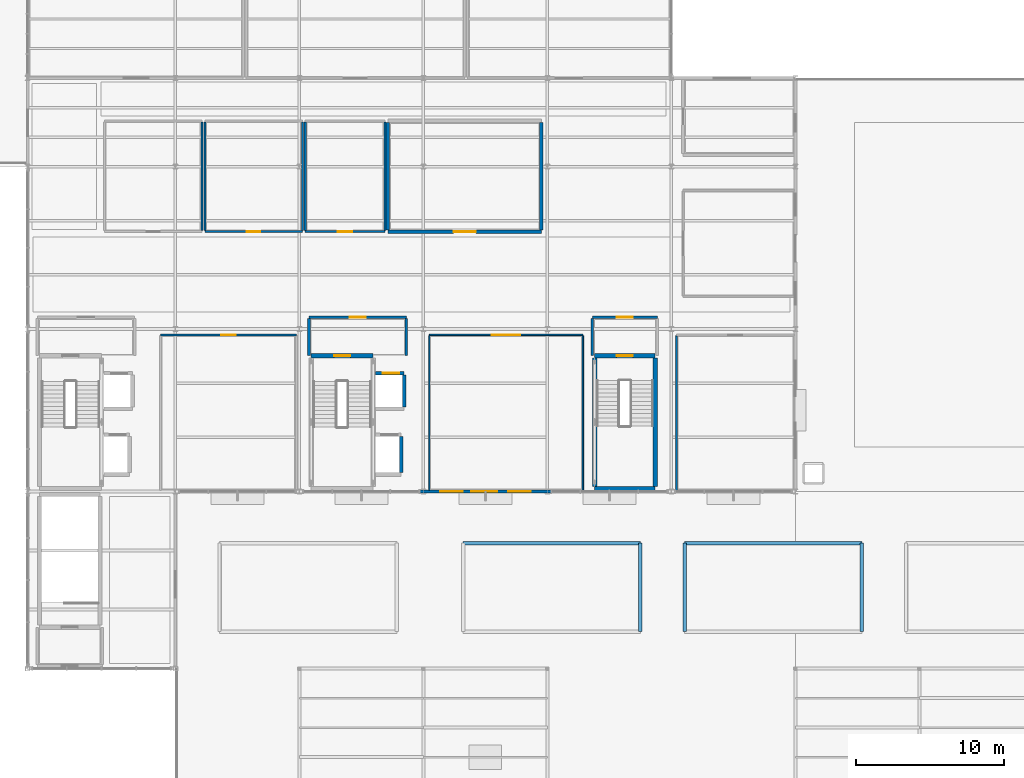
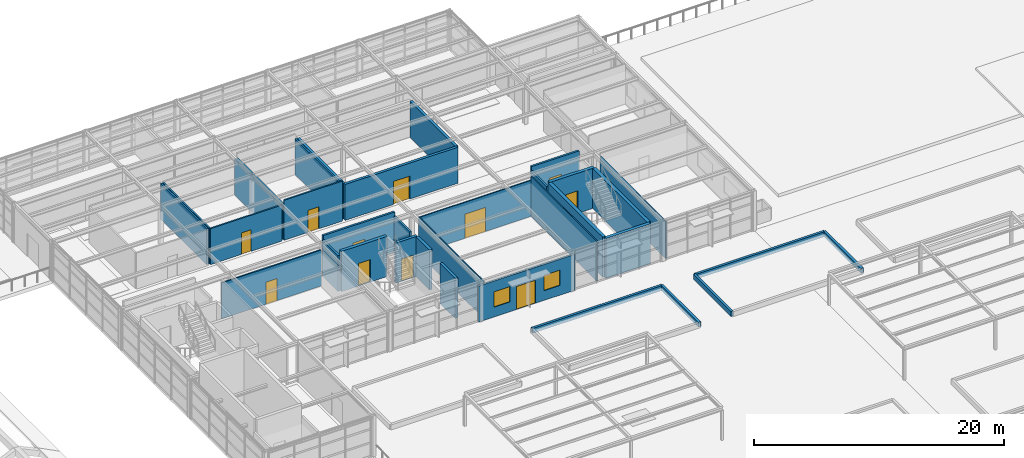
# One storey, part 42 of 49: 34 walls, 11 doors, 2 windows, 13 openings.
"""IFC4 building model written with IfcOpenShell, lengths in metres."""

import ifcopenshell
import ifcopenshell.guid

model = None  # the IFC model being written
_history = None  # IfcOwnerHistory: only IFC2X3 demands one
_inside = {}  # id of a spatial element -> (the spatial element, [elements in it])
_under = {}  # id of a project, library or spatial element -> (it, [spatial elements below it])
_declared = {}  # id of a project -> (the project, [libraries it declares])
_typed = {}  # id of a type object -> (the type object, [elements of that type])
_made_of = {}  # id of a material, layer set ... -> (it, [elements and type objects made of it])


def new_model(schema):
    """Start an empty IFC model of exactly this schema.

    Asked for "IFC4X3", IfcOpenShell would pick the latest addendum, in which some entities
    have other attributes; the version numbers below select the first issue.
    IFC2X3 requires an IfcOwnerHistory on every rooted entity: one is made here for all.
    """
    global model, _history
    if schema == "IFC4X3":
        model = ifcopenshell.file(schema_version=(4, 3, 0, 0))
    else:
        model = ifcopenshell.file(schema=schema)
    _inside.clear()
    _under.clear()
    _declared.clear()
    _typed.clear()
    _made_of.clear()
    _history = None
    if model.schema == "IFC2X3":
        org = make("IfcOrganization", Name="unknown")
        user = make(
            "IfcPersonAndOrganization",
            ThePerson=make("IfcPerson", FamilyName="unknown"),
            TheOrganization=org,
        )
        app = make(
            "IfcApplication",
            ApplicationDeveloper=org,
            Version="unknown",
            ApplicationFullName="unknown",
            ApplicationIdentifier="unknown",
        )
        _history = make(
            "IfcOwnerHistory",
            OwningUser=user,
            OwningApplication=app,
            ChangeAction="ADDED",
            CreationDate=0,
        )
    return model


def make(cls, **values):
    """One entity of the class cls with the attributes given. An attribute that is None is left unset."""
    return model.create_entity(
        cls, **{name: value for name, value in values.items() if value is not None}
    )


def rooted(cls, **values):
    """An entity with a GlobalId (a new one), such as an element, a storey or a relation."""
    return make(cls, GlobalId=ifcopenshell.guid.new(), OwnerHistory=_history, **values)


def si_unit(unit_type, name, prefix=None):
    """IfcSIUnit, for example si_unit("LENGTHUNIT", "METRE", prefix="MILLI")."""
    return make("IfcSIUnit", UnitType=unit_type, Prefix=prefix, Name=name)


def assignment(units):
    """IfcUnitAssignment: the units of a project."""
    return None if units is None else make("IfcUnitAssignment", Units=units)


def point(xyz):
    """IfcCartesianPoint."""
    return None if xyz is None else make("IfcCartesianPoint", Coordinates=xyz)


def direction(xyz):
    """IfcDirection."""
    return None if xyz is None else make("IfcDirection", DirectionRatios=xyz)


def frame(location, z_axis=None, x_axis=None):
    """IfcAxis2Placement3D, a coordinate frame: its origin and axes. An axis left out is left unset."""
    return make(
        "IfcAxis2Placement3D",
        Location=point(location),
        Axis=direction(z_axis),
        RefDirection=direction(x_axis),
    )


def frame_2d(location, x_axis=None):
    """IfcAxis2Placement2D, a coordinate frame in the plane: its origin and x axis."""
    return make(
        "IfcAxis2Placement2D", Location=point(location), RefDirection=direction(x_axis)
    )


def origin():
    """The frame at (0, 0, 0) with its axes left unset."""
    return frame((0.0, 0.0, 0.0))


def place(relative_to, where):
    """IfcLocalPlacement: puts the frame where relative to a parent placement (None: the world)."""
    return make(
        "IfcLocalPlacement", PlacementRelTo=relative_to, RelativePlacement=where
    )


def context(
    kind, dimensions, precision=None, world=None, true_north=None, identifier=None
):
    """IfcGeometricRepresentationContext, for example the 3D "Model" context."""
    return make(
        "IfcGeometricRepresentationContext",
        ContextIdentifier=identifier,
        ContextType=kind,
        CoordinateSpaceDimension=dimensions,
        Precision=precision,
        WorldCoordinateSystem=world,
        TrueNorth=true_north,
    )


def subcontext(parent, identifier, kind, view, scale=None):
    """IfcGeometricRepresentationSubContext, for example "Body" below "Model"."""
    return make(
        "IfcGeometricRepresentationSubContext",
        ContextIdentifier=identifier,
        ContextType=kind,
        ParentContext=parent,
        TargetScale=scale,
        TargetView=view,
    )


def project(units=None, contexts=None):
    """IfcProject with its units and contexts."""
    return rooted(
        "IfcProject",
        Name="project",
        RepresentationContexts=contexts,
        UnitsInContext=assignment(units),
    )


def spatial(cls, under=None, at=None, **own):
    """A site, building, storey or space (cls), placed at a placement, below another one or the project."""
    s = rooted(cls, ObjectPlacement=at, **own)
    if under is not None:
        _under.setdefault(under.id(), (under, []))[1].append(s)
    return s


def profile(cls, at=None, kind="AREA", **sizes):
    """A parametric profile (cls). Its sizes go by their IFC names, for example OverallWidth=200.0."""
    return make(cls, ProfileType=kind, Position=at, **sizes)


def rectangle(**sizes):
    """IfcRectangleProfileDef."""
    return profile("IfcRectangleProfileDef", **sizes)


def extrude(swept, where, along, depth):
    """IfcExtrudedAreaSolid: the profile swept, set in the frame where, extruded along a direction by depth."""
    return make(
        "IfcExtrudedAreaSolid",
        SweptArea=swept,
        Position=where,
        ExtrudedDirection=direction(along),
        Depth=depth,
    )


def shape(context_of_items, identifier, shape_type, items):
    """IfcShapeRepresentation: the items that make up one representation, for example the "Body"."""
    return make(
        "IfcShapeRepresentation",
        ContextOfItems=context_of_items,
        RepresentationIdentifier=identifier,
        RepresentationType=shape_type,
        Items=items,
    )


def material(Name=None, Category=None):
    """IfcMaterial."""
    return make("IfcMaterial", Name=Name, Category=Category)


def layer(
    of_material, thickness, ventilated=None, Name=None, Category=None, Priority=None
):
    """IfcMaterialLayer: one layer of a wall or slab, of a material (None: an air gap)."""
    return make(
        "IfcMaterialLayer",
        Material=of_material,
        LayerThickness=thickness,
        IsVentilated=ventilated,
        Name=Name,
        Category=Category,
        Priority=Priority,
    )


def layer_set(layers, Name=None):
    """IfcMaterialLayerSet."""
    return make("IfcMaterialLayerSet", MaterialLayers=layers, LayerSetName=Name)


def made_of(thing, what):
    """Note that an element or type object is made of a material, layer set ...; save() writes the relation."""
    if what is not None:
        _made_of.setdefault(what.id(), (what, []))[1].append(thing)
    return thing


def type_object(cls, material=None, **own):
    """A type object (cls), such as IfcWallType, which elements share."""
    return made_of(rooted(cls, **own), material)


def element(
    cls,
    number,
    at=None,
    inside=None,
    cuts=None,
    type_object=None,
    material=None,
    context=None,
    identifier="Body",
    shape_type=None,
    held_by="IfcProductDefinitionShape",
    body=None,
    shapes=None,
    **own,
):
    """One element of the class cls, such as IfcWall. Its Tag is "e" and its number.

    at: its placement. inside: the storey or other place that contains it. cuts: it is an
    opening in that element (IfcRelVoidsElement). A single representation is given by context,
    identifier, shape_type and body (its items); several are given by shapes. held_by: the class
    of the entity that holds the representations. save() writes the other relations.
    """
    e = rooted(cls, Tag="e%d" % number, ObjectPlacement=at, **own)
    if body is not None:
        shapes = [shape(context, identifier, shape_type, body)]
    if shapes is not None:
        e.Representation = make(held_by, Representations=shapes)
    if inside is not None:
        _inside.setdefault(inside.id(), (inside, []))[1].append(e)
    if cuts is not None:
        rooted(
            "IfcRelVoidsElement", RelatingBuildingElement=cuts, RelatedOpeningElement=e
        )
    if type_object is not None:
        _typed.setdefault(type_object.id(), (type_object, []))[1].append(e)
    return made_of(e, material)


def fill(opening, filler):
    """IfcRelFillsElement: the door or window that sits in an opening."""
    return rooted(
        "IfcRelFillsElement",
        RelatingOpeningElement=opening,
        RelatedBuildingElement=filler,
    )


def aggregate(whole, parts):
    """IfcRelAggregates: a whole, such as a stair, and the parts it consists of."""
    return rooted("IfcRelAggregates", RelatingObject=whole, RelatedObjects=parts)


def save(model, path):
    """Write the relations noted so far, then the file.

    IfcRelAggregates (storeys below a building ...), IfcRelContainedInSpatialStructure (elements
    in a storey), IfcRelDefinesByType, IfcRelAssociatesMaterial and IfcRelDeclares: one each for
    every whole, place, type object, material and project.
    """
    for whole, parts in _under.values():
        aggregate(whole, parts)
    for where, things in _inside.values():
        rooted(
            "IfcRelContainedInSpatialStructure",
            RelatedElements=things,
            RelatingStructure=where,
        )
    for kind, things in _typed.values():
        rooted("IfcRelDefinesByType", RelatedObjects=things, RelatingType=kind)
    for what, things in _made_of.values():
        rooted("IfcRelAssociatesMaterial", RelatedObjects=things, RelatingMaterial=what)
    for by, libraries in _declared.values():
        rooted("IfcRelDeclares", RelatingContext=by, RelatedDefinitions=libraries)
    model.write(path)


model = new_model("IFC4")

# Units and contexts
model_context = context("Model", 3, precision=1e-05, world=origin(), true_north=direction((0.0, 1.0)))
body_context = subcontext(model_context, "Body", "Model", "MODEL_VIEW")
ifc_project = project(units=[si_unit("LENGTHUNIT", "METRE"), si_unit("AREAUNIT", "SQUARE_METRE"), si_unit("VOLUMEUNIT", "CUBIC_METRE"), si_unit("PLANEANGLEUNIT", "RADIAN"), si_unit("MASSUNIT", "GRAM", prefix="KILO")], contexts=[model_context])

# Site, building, storey
site_placement = place(None, origin())
site = spatial("IfcSite", under=ifc_project, at=site_placement, CompositionType="ELEMENT")
building_placement = place(site_placement, origin())
building = spatial("IfcBuilding", under=site, at=building_placement, Name="Sitalva Quay Ferry Terminal", CompositionType="ELEMENT")
storey_placement = place(building_placement, frame((0.0, 0.0, 10.199951171875)))
storey = spatial("IfcBuildingStorey", under=building, at=storey_placement, Name="L03", CompositionType="ELEMENT", Elevation=10.199951171875)

# Wall, opening, door
ifc_material_1 = material(Name="Concrete C40/50", Category="concrete")
ifc_layer_1 = layer(ifc_material_1, 0.300048828125)
ifc_layer_set_1 = layer_set([ifc_layer_1], Name="Concrete C40/50")
wall_type_1 = type_object("IfcWallType", Name="Wall_CoreShear_300", PredefinedType="SHEAR", material=ifc_layer_set_1)
wall_1_placement = place(storey_placement, frame((93.199951171875, 87.199951171875, 0.0), z_axis=(0.0, 0.0, 1.0), x_axis=(1.0, 0.0, 0.0)))
wall_1 = element("IfcWall", 1, at=wall_1_placement, inside=storey, type_object=wall_type_1, Name="Core C2 L03 north shear wall", PredefinedType="SHEAR", context=body_context, shape_type="SweptSolid", body=[
    extrude(rectangle(XDim=4.199951171875, YDim=0.300048828125, at=frame_2d((2.10009765625, 0.0))), origin(), (0.0, 0.0, 1.0), 3.920166015625),
])
opening_1_placement = place(wall_1_placement, frame((1.550048828125, 0.0, 0.0)))
opening_1 = element("IfcOpeningElement", 2, at=opening_1_placement, cuts=wall_1, Name="Opening D-L03-008", PredefinedType="OPENING", context=body_context, shape_type="SweptSolid", body=[
    extrude(rectangle(XDim=1.10009765625, YDim=2.199951171875, at=frame_2d((0.550048828125, 1.10009765625))), frame((0.0, 0.159912109375, 0.0), z_axis=(0.0, -1.0, 0.0), x_axis=(1.0, 0.0, 0.0)), (0.0, 0.0, 1.0), 0.320068359375),
])
ifc_material_2 = material(Name="Galvanised Steel Fire Door", Category="steel")
door_type_1 = type_object("IfcDoorType", Name="Door_CoreExit_1100x2200", OperationType="SINGLE_SWING_LEFT", PredefinedType="DOOR", material=ifc_material_2)
door_1_placement = place(opening_1_placement, origin())
door_1 = element("IfcDoor", 3, at=door_1_placement, inside=storey, type_object=door_type_1, Name="DOOR-D-L03-008 Protected stair ST-02 door D-L03-008", OperationType="SINGLE_SWING_RIGHT", OverallHeight=2.199951171875, OverallWidth=1.10009765625, PredefinedType="DOOR", context=body_context, shape_type="SweptSolid", body=[
    extrude(rectangle(XDim=1.10009765625, YDim=2.199951171875, at=frame_2d((0.550048828125, 1.10009765625))), frame((0.0, 0.02490234375, 0.0), z_axis=(0.0, -1.0, 0.0), x_axis=(1.0, 0.0, 0.0)), (0.0, 0.0, 1.0), 0.050048828125),
])
fill(opening_1, door_1)

# Wall
wall_2_placement = place(storey_placement, frame((112.39990234375, 78.199951171875, 0.0), z_axis=(0.0, 0.0, 1.0), x_axis=(1.0, 0.0, 0.0)))
element("IfcWall", 4, at=wall_2_placement, inside=storey, type_object=wall_type_1, Name="Core C4 L03 south shear wall", PredefinedType="SHEAR", context=body_context, shape_type="SweptSolid", body=[
    extrude(rectangle(XDim=4.10009765625, YDim=0.300048828125, at=frame_2d((2.050048828125, 0.0))), origin(), (0.0, 0.0, 1.0), 3.920166015625),
])

# Wall, opening, door
wall_3_placement = place(storey_placement, frame((112.39990234375, 87.199951171875, 0.0), z_axis=(0.0, 0.0, 1.0), x_axis=(1.0, 0.0, 0.0)))
wall_3 = element("IfcWall", 5, at=wall_3_placement, inside=storey, type_object=wall_type_1, Name="Core C4 L03 north shear wall", PredefinedType="SHEAR", context=body_context, shape_type="SweptSolid", body=[
    extrude(rectangle(XDim=4.10009765625, YDim=0.300048828125, at=frame_2d((2.050048828125, 0.0))), origin(), (0.0, 0.0, 1.0), 3.920166015625),
])
opening_2_placement = place(wall_3_placement, frame((1.5, 0.0, 0.0)))
opening_2 = element("IfcOpeningElement", 6, at=opening_2_placement, cuts=wall_3, Name="Opening D-L03-013", PredefinedType="OPENING", context=body_context, shape_type="SweptSolid", body=[
    extrude(rectangle(XDim=1.10009765625, YDim=2.199951171875, at=frame_2d((0.550048828125, 1.10009765625))), frame((0.0, 0.159912109375, 0.0), z_axis=(0.0, -1.0, 0.0), x_axis=(1.0, 0.0, 0.0)), (0.0, 0.0, 1.0), 0.320068359375),
])
door_2_placement = place(opening_2_placement, origin())
door_2 = element("IfcDoor", 7, at=door_2_placement, inside=storey, type_object=door_type_1, Name="DOOR-D-L03-013 Protected stair ST-04 door D-L03-013", OperationType="SINGLE_SWING_LEFT", OverallHeight=2.199951171875, OverallWidth=1.10009765625, PredefinedType="DOOR", context=body_context, shape_type="SweptSolid", body=[
    extrude(rectangle(XDim=1.10009765625, YDim=2.199951171875, at=frame_2d((0.550048828125, 1.10009765625))), frame((0.0, 0.02490234375, 0.0), z_axis=(0.0, -1.0, 0.0), x_axis=(1.0, 0.0, 0.0)), (0.0, 0.0, 1.0), 0.050048828125),
])
fill(opening_2, door_2)

# Walls
for number, where, z_axis, x_axis, name in (
    (8, (112.39990234375, 78.35009765625, 0.0), (0.0, 0.0, 1.0), (0.0, 1.0, 0.0), "Core C4 L03 west shear wall"),
    (9, (116.5, 78.35009765625, 0.0), (0.0, 0.0, 1.0), (0.0, 1.0, 0.0), "Core C4 L03 east shear wall"),
):
    element("IfcWall", number, at=place(storey_placement, frame(where, z_axis=z_axis, x_axis=x_axis)), inside=storey, type_object=wall_type_1, Name=name, PredefinedType="SHEAR", context=body_context, shape_type="SweptSolid", body=[
        extrude(rectangle(XDim=8.699951171875, YDim=0.300048828125, at=frame_2d((4.35009765625, 0.0))), origin(), (0.0, 0.0, 1.0), 3.920166015625),
    ])

# Wall, openings, door, windows
ifc_material_3 = material(Name="Architectural Concrete C40/50", Category="concrete")
ifc_layer_2 = layer(ifc_material_3, 0.18994140625)
ifc_layer_set_2 = layer_set([ifc_layer_2], Name="Architectural Concrete C40/50")
wall_type_2 = type_object("IfcWallType", Name="Wall_ExtSpandrel_190", PredefinedType="SOLIDWALL", material=ifc_layer_set_2)
wall_4_placement = place(storey_placement, frame((100.5400390625, 78.0, 0.0), z_axis=(0.0, 0.0, 1.0), x_axis=(1.0, 0.0, 0.0)))
wall_4 = element("IfcWall", 10, at=wall_4_placement, inside=storey, type_object=wall_type_2, Name="L03 south roof-park portal wall EW-L03-178", PredefinedType="SOLIDWALL", context=body_context, shape_type="SweptSolid", body=[
    extrude(rectangle(XDim=8.919921875, YDim=0.18994140625, at=frame_2d((4.4599609375, 0.0))), origin(), (0.0, 0.0, 1.0), 3.5009765625),
])
opening_3_placement = place(wall_4_placement, frame((3.52001953125, 0.0, 0.0)))
opening_3 = element("IfcOpeningElement", 11, at=opening_3_placement, cuts=wall_4, Name="Opening ED-L03-040", PredefinedType="OPENING", context=body_context, shape_type="SweptSolid", body=[
    extrude(rectangle(XDim=1.75, YDim=2.239990234375, at=frame_2d((0.875, 1.1201171875))), frame((0.0, 0.10498046875, 0.0), z_axis=(0.0, -1.0, 0.0), x_axis=(1.0, 0.0, 0.0)), (0.0, 0.0, 1.0), 0.2099609375),
])
opening_4_placement = place(wall_4_placement, frame((1.419921875, 0.0, 0.949951171875)))
opening_4 = element("IfcOpeningElement", 12, at=opening_4_placement, cuts=wall_4, Name="Opening WN-L03-061", PredefinedType="OPENING", context=body_context, shape_type="SweptSolid", body=[
    extrude(rectangle(XDim=1.5, YDim=1.5, at=frame_2d((0.75, 0.75))), frame((0.0, 0.10498046875, 0.0), z_axis=(0.0, -1.0, 0.0), x_axis=(1.0, 0.0, 0.0)), (0.0, 0.0, 1.0), 0.2099609375),
])
opening_5_placement = place(wall_4_placement, frame((6.02001953125, 0.0, 0.949951171875)))
opening_5 = element("IfcOpeningElement", 13, at=opening_5_placement, cuts=wall_4, Name="Opening WN-L03-062", PredefinedType="OPENING", context=body_context, shape_type="SweptSolid", body=[
    extrude(rectangle(XDim=1.5, YDim=1.5, at=frame_2d((0.75, 0.75))), frame((0.0, 0.10498046875, 0.0), z_axis=(0.0, -1.0, 0.0), x_axis=(1.0, 0.0, 0.0)), (0.0, 0.0, 1.0), 0.2099609375),
])
ifc_material_4 = material(Name="Anodised Aluminium & Low-E Glass", Category="aluminium")
door_type_2 = type_object("IfcDoorType", Name="Door_RoofPark_1750x2240", OperationType="DOUBLE_DOOR_SINGLE_SWING", PredefinedType="DOOR", material=ifc_material_4)
door_3_placement = place(opening_3_placement, origin())
door_3 = element("IfcDoor", 14, at=door_3_placement, inside=storey, type_object=door_type_2, Name="EDOOR-ED-L03-040 L03 landscaped roof park access door ED-L03-040", OperationType="DOUBLE_DOOR_SINGLE_SWING", OverallHeight=2.239990234375, OverallWidth=1.75, PredefinedType="DOOR", context=body_context, shape_type="SweptSolid", body=[
    extrude(rectangle(XDim=1.75, YDim=2.239990234375, at=frame_2d((0.875, 1.1201171875))), frame((0.0, 0.02490234375, 0.0), z_axis=(0.0, -1.0, 0.0), x_axis=(1.0, 0.0, 0.0)), (0.0, 0.0, 1.0), 0.050048828125),
])
fill(opening_3, door_3)
ifc_material_5 = material(Name="Anodised Aluminium & Low-E Glass", Category="aluminium")
window_type = type_object("IfcWindowType", Name="Win_Office_1500x1500", PartitioningType="SINGLE_PANEL", PredefinedType="WINDOW", material=ifc_material_5)
window_1_placement = place(opening_4_placement, origin())
window_1 = element("IfcWindow", 15, at=window_1_placement, inside=storey, type_object=window_type, Name="L03 south office window WN-L03-061", OverallHeight=1.5, OverallWidth=1.5, PartitioningType="SINGLE_PANEL", PredefinedType="WINDOW", context=body_context, shape_type="SweptSolid", body=[
    extrude(rectangle(XDim=1.5, YDim=1.5, at=frame_2d((0.75, 0.75))), frame((0.0, 0.030029296875, 0.0), z_axis=(0.0, -1.0, 0.0), x_axis=(1.0, 0.0, 0.0)), (0.0, 0.0, 1.0), 0.06005859375),
])
fill(opening_4, window_1)
window_2_placement = place(opening_5_placement, origin())
window_2 = element("IfcWindow", 16, at=window_2_placement, inside=storey, type_object=window_type, Name="L03 south office window WN-L03-062", OverallHeight=1.5, OverallWidth=1.5, PartitioningType="SINGLE_PANEL", PredefinedType="WINDOW", context=body_context, shape_type="SweptSolid", body=[
    extrude(rectangle(XDim=1.5, YDim=1.5, at=frame_2d((0.75, 0.75))), frame((0.0, 0.030029296875, 0.0), z_axis=(0.0, -1.0, 0.0), x_axis=(1.0, 0.0, 0.0)), (0.0, 0.0, 1.0), 0.06005859375),
])
fill(opening_5, window_2)

# Wall, opening, door
ifc_material_6 = material(Name="Fire-Rated Blockwork C25/30", Category="masonry")
ifc_layer_3 = layer(ifc_material_6, 0.179931640625)
ifc_layer_set_3 = layer_set([ifc_layer_3], Name="Fire-Rated Blockwork C25/30")
wall_type_3 = type_object("IfcWallType", Name="Wall_FireLobby_180", PredefinedType="SOLIDWALL", material=ifc_layer_set_3)
wall_5_placement = place(storey_placement, frame((93.050048828125, 89.800048828125, 0.0), z_axis=(0.0, 0.0, 1.0), x_axis=(1.0, 0.0, 0.0)))
wall_5 = element("IfcWall", 17, at=wall_5_placement, inside=storey, type_object=wall_type_3, Name="Firefighting & Lift Lobby C2 N wall IW-L03-0022", PredefinedType="SOLIDWALL", context=body_context, shape_type="SweptSolid", body=[
    extrude(rectangle(XDim=6.599853515625, YDim=0.179931640625, at=frame_2d((3.2998046875, 0.0))), origin(), (0.0, 0.0, 1.0), 3.900146484375),
])
opening_6_placement = place(wall_5_placement, frame((2.75, 0.0, 0.0)))
opening_6 = element("IfcOpeningElement", 18, at=opening_6_placement, cuts=wall_5, Name="Opening ID-L03-008", PredefinedType="OPENING", context=body_context, shape_type="SweptSolid", body=[
    extrude(rectangle(XDim=1.10009765625, YDim=2.199951171875, at=frame_2d((0.550048828125, 1.10009765625))), frame((0.0, 0.099853515625, 0.0), z_axis=(0.0, -1.0, 0.0), x_axis=(1.0, 0.0, 0.0)), (0.0, 0.0, 1.0), 0.199951171875),
])
ifc_material_7 = material(Name="Steel Fire Door", Category="steel")
door_type_3 = type_object("IfcDoorType", Name="Door_FireLobby_1100x2200", OperationType="SINGLE_SWING_LEFT", PredefinedType="DOOR", material=ifc_material_7)
door_4_placement = place(opening_6_placement, origin())
door_4 = element("IfcDoor", 19, at=door_4_placement, inside=storey, type_object=door_type_3, Name="IDOOR-ID-L03-008 Firefighting & Lift Lobby C2 entrance ID-L03-008", OperationType="SINGLE_SWING_RIGHT", OverallHeight=2.199951171875, OverallWidth=1.10009765625, PredefinedType="DOOR", context=body_context, shape_type="SweptSolid", body=[
    extrude(rectangle(XDim=1.10009765625, YDim=2.199951171875, at=frame_2d((0.550048828125, 1.10009765625))), frame((0.0, 0.02490234375, 0.0), z_axis=(0.0, -1.0, 0.0), x_axis=(1.0, 0.0, 0.0)), (0.0, 0.0, 1.0), 0.050048828125),
])
fill(opening_6, door_4)

# Walls
for number, where, z_axis, x_axis, name in (
    (20, (93.050048828125, 87.199951171875, 0.0), (0.0, 0.0, 1.0), (0.0, 1.0, 0.0), "Firefighting & Lift Lobby C2 W wall IW-L03-0023"),
    (21, (99.64990234375, 87.199951171875, 0.0), (0.0, 0.0, 1.0), (0.0, 1.0, 0.0), "Firefighting & Lift Lobby C2 E wall IW-L03-0024"),
):
    element("IfcWall", number, at=place(storey_placement, frame(where, z_axis=z_axis, x_axis=x_axis)), inside=storey, type_object=wall_type_3, Name=name, PredefinedType="SOLIDWALL", context=body_context, shape_type="SweptSolid", body=[
        extrude(rectangle(XDim=2.510009765625, YDim=0.179931640625, at=frame_2d((1.2548828125, 0.0))), origin(), (0.0, 0.0, 1.0), 3.5029296875),
    ])

# Wall, opening, door
wall_6_placement = place(storey_placement, frame((112.25, 89.800048828125, 0.0), z_axis=(0.0, 0.0, 1.0), x_axis=(1.0, 0.0, 0.0)))
wall_6 = element("IfcWall", 22, at=wall_6_placement, inside=storey, type_object=wall_type_3, Name="Firefighting & Lift Lobby C4 N wall IW-L03-0037", PredefinedType="SOLIDWALL", context=body_context, shape_type="SweptSolid", body=[
    extrude(rectangle(XDim=4.39990234375, YDim=0.179931640625, at=frame_2d((2.199951171875, 0.0))), origin(), (0.0, 0.0, 1.0), 3.900146484375),
])
opening_7_placement = place(wall_6_placement, frame((1.64990234375, 0.0, 0.0)))
opening_7 = element("IfcOpeningElement", 23, at=opening_7_placement, cuts=wall_6, Name="Opening ID-L03-013", PredefinedType="OPENING", context=body_context, shape_type="SweptSolid", body=[
    extrude(rectangle(XDim=1.10009765625, YDim=2.199951171875, at=frame_2d((0.550048828125, 1.10009765625))), frame((0.0, 0.099853515625, 0.0), z_axis=(0.0, -1.0, 0.0), x_axis=(1.0, 0.0, 0.0)), (0.0, 0.0, 1.0), 0.199951171875),
])
door_5_placement = place(opening_7_placement, origin())
door_5 = element("IfcDoor", 24, at=door_5_placement, inside=storey, type_object=door_type_3, Name="IDOOR-ID-L03-013 Firefighting & Lift Lobby C4 entrance ID-L03-013", OperationType="SINGLE_SWING_LEFT", OverallHeight=2.199951171875, OverallWidth=1.10009765625, PredefinedType="DOOR", context=body_context, shape_type="SweptSolid", body=[
    extrude(rectangle(XDim=1.10009765625, YDim=2.199951171875, at=frame_2d((0.550048828125, 1.10009765625))), frame((0.0, 0.02490234375, 0.0), z_axis=(0.0, -1.0, 0.0), x_axis=(1.0, 0.0, 0.0)), (0.0, 0.0, 1.0), 0.050048828125),
])
fill(opening_7, door_5)

# Wall
wall_7_placement = place(storey_placement, frame((112.25, 87.199951171875, 0.0), z_axis=(0.0, 0.0, 1.0), x_axis=(0.0, 1.0, 0.0)))
element("IfcWall", 25, at=wall_7_placement, inside=storey, type_object=wall_type_3, Name="Firefighting & Lift Lobby C4 W wall IW-L03-0038", PredefinedType="SOLIDWALL", context=body_context, shape_type="SweptSolid", body=[
    extrude(rectangle(XDim=2.510009765625, YDim=0.179931640625, at=frame_2d((1.2548828125, 0.0))), origin(), (0.0, 0.0, 1.0), 3.5029296875),
])

# Wall, opening, door
ifc_material_8 = material(Name="Framed Acoustic Glass Partition", Category="glass")
ifc_layer_4 = layer(ifc_material_8, 0.10009765625)
ifc_layer_set_4 = layer_set([ifc_layer_4], Name="Framed Acoustic Glass Partition")
wall_type_4 = type_object("IfcWallType", Name="Wall_GlazedScreen_100", PredefinedType="MOVABLE", material=ifc_layer_set_4)
wall_8_placement = place(storey_placement, frame((101.199951171875, 88.60009765625, 0.0), z_axis=(0.0, 0.0, 1.0), x_axis=(1.0, 0.0, 0.0)))
wall_8 = element("IfcWall", 26, at=wall_8_placement, inside=storey, type_object=wall_type_4, Name="Roof Park Gallery & Exhibition Lounge N wall IW-L03-0268", PredefinedType="MOVABLE", context=body_context, shape_type="SweptSolid", body=[
    extrude(rectangle(XDim=10.400146484375, YDim=0.10009765625, at=frame_2d((5.2001953125, 0.0))), origin(), (0.0, 0.0, 1.0), 3.510009765625),
])
opening_8_placement = place(wall_8_placement, frame((4.25, 0.0, 0.0)))
opening_8 = element("IfcOpeningElement", 27, at=opening_8_placement, cuts=wall_8, Name="Opening ID-L03-094", PredefinedType="OPENING", context=body_context, shape_type="SweptSolid", body=[
    extrude(rectangle(XDim=1.89990234375, YDim=2.35009765625, at=frame_2d((0.949951171875, 1.175048828125))), frame((0.0, 0.06005859375, 0.0), z_axis=(0.0, -1.0, 0.0), x_axis=(1.0, 0.0, 0.0)), (0.0, 0.0, 1.0), 0.1201171875),
])
ifc_material_9 = material(Name="Anodised Aluminium Glazed Portal", Category="aluminium")
door_type_4 = type_object("IfcDoorType", Name="Door_Gallery_1900x2350", OperationType="DOUBLE_DOOR_SINGLE_SWING", PredefinedType="DOOR", material=ifc_material_9)
door_6_placement = place(opening_8_placement, origin())
door_6 = element("IfcDoor", 28, at=door_6_placement, inside=storey, type_object=door_type_4, Name="IDOOR-ID-L03-094 Roof Park Gallery & Exhibition Lounge entrance ID-L03-094", OperationType="DOUBLE_DOOR_SINGLE_SWING", OverallHeight=2.35009765625, OverallWidth=1.89990234375, PredefinedType="DOOR", context=body_context, shape_type="SweptSolid", body=[
    extrude(rectangle(XDim=1.89990234375, YDim=2.35009765625, at=frame_2d((0.949951171875, 1.175048828125))), frame((0.0, 0.02490234375, 0.0), z_axis=(0.0, -1.0, 0.0), x_axis=(1.0, 0.0, 0.0)), (0.0, 0.0, 1.0), 0.050048828125),
])
fill(opening_8, door_6)

# Walls
wall_9_placement = place(storey_placement, frame((101.199951171875, 78.080078125, 0.0), z_axis=(0.0, 0.0, 1.0), x_axis=(0.0, 1.0, 0.0)))
element("IfcWall", 29, at=wall_9_placement, inside=storey, type_object=wall_type_4, Name="Roof Park Gallery & Exhibition Lounge W wall IW-L03-0269", PredefinedType="MOVABLE", context=body_context, shape_type="SweptSolid", body=[
    extrude(rectangle(XDim=10.469970703125, YDim=0.10009765625, at=frame_2d((5.23486328125, 0.0))), origin(), (0.0, 0.0, 1.0), 3.60693359375),
])
wall_10_placement = place(storey_placement, frame((111.60009765625, 78.080078125, 0.0), z_axis=(0.0, 0.0, 1.0), x_axis=(0.0, 1.0, 0.0)))
element("IfcWall", 30, at=wall_10_placement, inside=storey, type_object=wall_type_4, Name="Roof Park Gallery & Exhibition Lounge E wall IW-L03-0270", PredefinedType="MOVABLE", context=body_context, shape_type="SweptSolid", body=[
    extrude(rectangle(XDim=10.469970703125, YDim=0.10009765625, at=frame_2d((5.23486328125, 0.0))), origin(), (0.0, 0.0, 1.0), 3.900146484375),
])
ifc_material_10 = material(Name="Concrete C35/45", Category="concrete")
ifc_layer_5 = layer(ifc_material_10, 0.25)
ifc_layer_set_5 = layer_set([ifc_layer_5], Name="Concrete C35/45")
wall_type_5 = type_object("IfcWallType", Name="Wall_LiftShaft_250", PredefinedType="SOLIDWALL", material=ifc_layer_set_5)
wall_11_placement = place(storey_placement, frame((99.300048828125, 79.27490234375, 0.0), z_axis=(0.0, 0.0, 1.0), x_axis=(0.0, 1.0, 0.0)))
element("IfcWall", 31, at=wall_11_placement, inside=storey, type_object=wall_type_5, Name="Lift LF-02 L03 east shaft wall", PredefinedType="SOLIDWALL", context=body_context, shape_type="SweptSolid", body=[
    extrude(rectangle(XDim=2.4501953125, YDim=0.25, at=frame_2d((1.22509765625, 0.0))), origin(), (0.0, 0.0, 1.0), 3.920166015625),
])

# Wall, opening, door
wall_12_placement = place(storey_placement, frame((97.554931640625, 86.0, 0.0), z_axis=(0.0, 0.0, 1.0), x_axis=(1.0, 0.0, 0.0)))
wall_12 = element("IfcWall", 32, at=wall_12_placement, inside=storey, type_object=wall_type_5, Name="Lift LF-04 L03 north shaft wall", PredefinedType="SOLIDWALL", context=body_context, shape_type="SweptSolid", body=[
    extrude(rectangle(XDim=1.945068359375, YDim=0.25, at=frame_2d((0.97265625, 0.0))), origin(), (0.0, 0.0, 1.0), 3.920166015625),
])
opening_9_placement = place(wall_12_placement, frame((0.5, 0.0, 0.0)))
opening_9 = element("IfcOpeningElement", 33, at=opening_9_placement, cuts=wall_12, Name="Opening LD-LF-04-L03", PredefinedType="OPENING", context=body_context, shape_type="SweptSolid", body=[
    extrude(rectangle(XDim=1.10009765625, YDim=2.199951171875, at=frame_2d((0.550048828125, 1.10009765625))), frame((0.0, 0.135009765625, 0.0), z_axis=(0.0, -1.0, 0.0), x_axis=(1.0, 0.0, 0.0)), (0.0, 0.0, 1.0), 0.27001953125),
])
ifc_material_11 = material(Name="Stainless Steel 316L Fire Landing Door", Category="steel")
door_type_5 = type_object("IfcDoorType", Name="Door_LiftLanding_1100x2200", OperationType="SLIDING_TO_LEFT", PredefinedType="DOOR", material=ifc_material_11)
door_7_placement = place(opening_9_placement, origin())
door_7 = element("IfcDoor", 34, at=door_7_placement, inside=storey, type_object=door_type_5, Name="DOOR-LD-LF-04-L03 Lift LF-04 sliding landing door LD-LF-04-L03", OperationType="SLIDING_TO_LEFT", OverallHeight=2.199951171875, OverallWidth=1.10009765625, PredefinedType="DOOR", context=body_context, shape_type="SweptSolid", body=[
    extrude(rectangle(XDim=1.10009765625, YDim=2.199951171875, at=frame_2d((0.550048828125, 1.10009765625))), frame((0.0, 0.02490234375, 0.0), z_axis=(0.0, -1.0, 0.0), x_axis=(1.0, 0.0, 0.0)), (0.0, 0.0, 1.0), 0.050048828125),
])
fill(opening_9, door_7)

# Wall
wall_13_placement = place(storey_placement, frame((99.5, 83.72509765625, 0.0), z_axis=(0.0, 0.0, 1.0), x_axis=(0.0, 1.0, 0.0)))
element("IfcWall", 35, at=wall_13_placement, inside=storey, type_object=wall_type_5, Name="Lift LF-04 L03 east shaft wall", PredefinedType="SOLIDWALL", context=body_context, shape_type="SweptSolid", body=[
    extrude(rectangle(XDim=2.14990234375, YDim=0.25, at=frame_2d((1.074951171875, 0.0))), origin(), (0.0, 0.0, 1.0), 3.920166015625),
])

# Wall, opening, door
ifc_material_12 = material(Name="Steel-Stud Gypsum Partition", Category="steel")
ifc_layer_6 = layer(ifc_material_12, 0.125)
ifc_layer_set_6 = layer_set([ifc_layer_6], Name="Steel-Stud Gypsum Partition")
wall_type_6 = type_object("IfcWallType", Name="Wall_Partition_125", PredefinedType="PARTITIONING", material=ifc_layer_set_6)
wall_14_placement = place(storey_placement, frame((83.0, 88.60009765625, 0.0), z_axis=(0.0, 0.0, 1.0), x_axis=(1.0, 0.0, 0.0)))
wall_14 = element("IfcWall", 36, at=wall_14_placement, inside=storey, type_object=wall_type_6, Name="BIWTA Port Operations Open-Plan Office N wall IW-L03-0265", PredefinedType="PARTITIONING", context=body_context, shape_type="SweptSolid", body=[
    extrude(rectangle(XDim=9.199951171875, YDim=0.125, at=frame_2d((4.60009765625, 0.0))), origin(), (0.0, 0.0, 1.0), 3.510009765625),
])
opening_10_placement = place(wall_14_placement, frame((4.10009765625, 0.0, 0.0)))
opening_10 = element("IfcOpeningElement", 37, at=opening_10_placement, cuts=wall_14, Name="Opening ID-L03-093", PredefinedType="OPENING", context=body_context, shape_type="SweptSolid", body=[
    extrude(rectangle(XDim=1.0, YDim=2.14990234375, at=frame_2d((0.5, 1.074951171875))), frame((0.0, 0.072509765625, 0.0), z_axis=(0.0, -1.0, 0.0), x_axis=(1.0, 0.0, 0.0)), (0.0, 0.0, 1.0), 0.14501953125),
])
ifc_material_13 = material(Name="Hardwood Acoustic Veneer Door", Category="wood")
door_type_6 = type_object("IfcDoorType", Name="Door_OfficeWide_1000x2150", OperationType="SINGLE_SWING_RIGHT", PredefinedType="DOOR", material=ifc_material_13)
door_8_placement = place(opening_10_placement, origin())
door_8 = element("IfcDoor", 38, at=door_8_placement, inside=storey, type_object=door_type_6, Name="IDOOR-ID-L03-093 BIWTA Port Operations Open-Plan Office entrance ID-L03-093", OperationType="SINGLE_SWING_LEFT", OverallHeight=2.14990234375, OverallWidth=1.0, PredefinedType="DOOR", context=body_context, shape_type="SweptSolid", body=[
    extrude(rectangle(XDim=1.0, YDim=2.14990234375, at=frame_2d((0.5, 1.074951171875))), frame((0.0, 0.02490234375, 0.0), z_axis=(0.0, -1.0, 0.0), x_axis=(1.0, 0.0, 0.0)), (0.0, 0.0, 1.0), 0.050048828125),
])
fill(opening_10, door_8)

# Wall
wall_15_placement = place(storey_placement, frame((117.949951171875, 78.080078125, 0.0), z_axis=(0.0, 0.0, 1.0), x_axis=(0.0, 1.0, 0.0)))
element("IfcWall", 39, at=wall_15_placement, inside=storey, type_object=wall_type_6, Name="Hydrographic Survey & River Charting Suite W wall IW-L03-0272", PredefinedType="PARTITIONING", context=body_context, shape_type="SweptSolid", body=[
    extrude(rectangle(XDim=10.45751953125, YDim=0.125, at=frame_2d((5.228759765625, 0.0))), origin(), (0.0, 0.0, 1.0), 3.60693359375),
])

# Wall, opening, door
ifc_material_14 = material(Name="High-Density Concrete C35/45", Category="concrete")
ifc_layer_7 = layer(ifc_material_14, 0.239990234375)
ifc_layer_set_7 = layer_set([ifc_layer_7], Name="High-Density Concrete C35/45")
wall_type_7 = type_object("IfcWallType", Name="Wall_PlantAcoustic_240", PredefinedType="SOLIDWALL", material=ifc_layer_set_7)
wall_16_placement = place(storey_placement, frame((98.39990234375, 95.60009765625, 0.0), z_axis=(0.0, 0.0, 1.0), x_axis=(1.0, 0.0, 0.0)))
wall_16 = element("IfcWall", 40, at=wall_16_placement, inside=storey, type_object=wall_type_7, Name="Telecoms & UPS Battery Plant S wall IW-L03-0297", PredefinedType="SOLIDWALL", context=body_context, shape_type="SweptSolid", body=[
    extrude(rectangle(XDim=10.400146484375, YDim=0.239990234375, at=frame_2d((5.2001953125, 0.0))), origin(), (0.0, 0.0, 1.0), 3.510009765625),
])
opening_11_placement = place(wall_16_placement, frame((4.449951171875, 0.0, 0.0)))
opening_11 = element("IfcOpeningElement", 41, at=opening_11_placement, cuts=wall_16, Name="Opening ID-L03-104", PredefinedType="OPENING", context=body_context, shape_type="SweptSolid", body=[
    extrude(rectangle(XDim=1.5, YDim=2.25, at=frame_2d((0.75, 1.125))), frame((0.0, 0.1298828125, 0.0), z_axis=(0.0, -1.0, 0.0), x_axis=(1.0, 0.0, 0.0)), (0.0, 0.0, 1.0), 0.260009765625),
])
ifc_material_15 = material(Name="Acoustic Steel Plant Door", Category="steel")
door_type_7 = type_object("IfcDoorType", Name="Door_PlantInt_1500x2250", OperationType="DOUBLE_DOOR_SINGLE_SWING", PredefinedType="DOOR", material=ifc_material_15)
door_9_placement = place(opening_11_placement, origin())
door_9 = element("IfcDoor", 42, at=door_9_placement, inside=storey, type_object=door_type_7, Name="IDOOR-ID-L03-104 Telecoms & UPS Battery Plant entrance ID-L03-104", OperationType="DOUBLE_DOOR_SINGLE_SWING", OverallHeight=2.25, OverallWidth=1.5, PredefinedType="DOOR", context=body_context, shape_type="SweptSolid", body=[
    extrude(rectangle(XDim=1.5, YDim=2.25, at=frame_2d((0.75, 1.125))), frame((0.0, 0.02490234375, 0.0), z_axis=(0.0, -1.0, 0.0), x_axis=(1.0, 0.0, 0.0)), (0.0, 0.0, 1.0), 0.050048828125),
])
fill(opening_11, door_9)

# Walls
for number, where, z_axis, x_axis, name in (
    (43, (98.39990234375, 95.719970703125, 0.0), (0.0, 0.0, 1.0), (0.0, 1.0, 0.0), "Telecoms & UPS Battery Plant W wall IW-L03-0299"),
    (44, (108.800048828125, 95.719970703125, 0.0), (0.0, 0.0, 1.0), (0.0, 1.0, 0.0), "Telecoms & UPS Battery Plant E wall IW-L03-0300"),
):
    element("IfcWall", number, at=place(storey_placement, frame(where, z_axis=z_axis, x_axis=x_axis)), inside=storey, type_object=wall_type_7, Name=name, PredefinedType="SOLIDWALL", context=body_context, shape_type="SweptSolid", body=[
        extrude(rectangle(XDim=7.260009765625, YDim=0.239990234375, at=frame_2d((3.6298828125, 0.0))), origin(), (0.0, 0.0, 1.0), 3.5029296875),
    ])
ifc_material_16 = material(Name="Concrete C35/45", Category="concrete")
ifc_layer_8 = layer(ifc_material_16, 0.219970703125)
ifc_layer_set_8 = layer_set([ifc_layer_8], Name="Concrete C35/45")
wall_type_8 = type_object("IfcWallType", Name="Wall_PlanterKerb_220", PredefinedType="PARAPET", material=ifc_layer_set_8)
wall_17_placement = place(storey_placement, frame((103.5, 74.5, 0.0), z_axis=(0.0, 0.0, 1.0), x_axis=(1.0, 0.0, 0.0)))
element("IfcWall", 45, at=wall_17_placement, inside=storey, type_object=wall_type_8, Name="Roof park planted parterre 10 kerb N", PredefinedType="PARAPET", context=body_context, shape_type="SweptSolid", body=[
    extrude(rectangle(XDim=12.0, YDim=0.219970703125, at=frame_2d((6.0, 0.0))), origin(), (0.0, 0.0, 1.0), 0.47998046875),
])
wall_18_placement = place(storey_placement, frame((115.5, 68.5, 0.0), z_axis=(0.0, 0.0, 1.0), x_axis=(0.0, 1.0, 0.0)))
element("IfcWall", 46, at=wall_18_placement, inside=storey, type_object=wall_type_8, Name="Roof park planted parterre 10 kerb E", PredefinedType="PARAPET", context=body_context, shape_type="SweptSolid", body=[
    extrude(rectangle(XDim=6.0, YDim=0.219970703125, at=frame_2d((3.0, 0.0))), origin(), (0.0, 0.0, 1.0), 0.47998046875),
])
wall_19_placement = place(storey_placement, frame((118.5, 74.5, 0.0), z_axis=(0.0, 0.0, 1.0), x_axis=(1.0, 0.0, 0.0)))
element("IfcWall", 47, at=wall_19_placement, inside=storey, type_object=wall_type_8, Name="Roof park planted parterre 11 kerb N", PredefinedType="PARAPET", context=body_context, shape_type="SweptSolid", body=[
    extrude(rectangle(XDim=12.0, YDim=0.219970703125, at=frame_2d((6.0, 0.0))), origin(), (0.0, 0.0, 1.0), 0.47998046875),
])
for number, where, z_axis, x_axis, name in (
    (48, (118.5, 68.5, 0.0), (0.0, 0.0, 1.0), (0.0, 1.0, 0.0), "Roof park planted parterre 11 kerb W"),
    (49, (130.5, 68.5, 0.0), (0.0, 0.0, 1.0), (0.0, 1.0, 0.0), "Roof park planted parterre 11 kerb E"),
):
    element("IfcWall", number, at=place(storey_placement, frame(where, z_axis=z_axis, x_axis=x_axis)), inside=storey, type_object=wall_type_8, Name=name, PredefinedType="PARAPET", context=body_context, shape_type="SweptSolid", body=[
        extrude(rectangle(XDim=6.0, YDim=0.219970703125, at=frame_2d((3.0, 0.0))), origin(), (0.0, 0.0, 1.0), 0.47998046875),
    ])
ifc_material_17 = material(Name="Moisture-Resistant Cement Board Partition", Category="gypsum")
ifc_layer_9 = layer(ifc_material_17, 0.139892578125)
ifc_layer_set_9 = layer_set([ifc_layer_9], Name="Moisture-Resistant Cement Board Partition")
wall_type_9 = type_object("IfcWallType", Name="Wall_WetRoom_140", PredefinedType="PARTITIONING", material=ifc_layer_set_9)
wall_20_placement = place(storey_placement, frame((85.800048828125, 95.669921875, 0.0), z_axis=(0.0, 0.0, 1.0), x_axis=(0.0, 1.0, 0.0)))
element("IfcWall", 50, at=wall_20_placement, inside=storey, type_object=wall_type_9, Name="L03 Male Staff Toilets E wall IW-L03-0288", PredefinedType="PARTITIONING", context=body_context, shape_type="SweptSolid", body=[
    extrude(rectangle(XDim=7.360107421875, YDim=0.139892578125, at=frame_2d((3.68017578125, 0.0))), origin(), (0.0, 0.0, 1.0), 3.5029296875),
])

# Wall, opening, door
wall_21_placement = place(storey_placement, frame((86.0, 95.60009765625, 0.0), z_axis=(0.0, 0.0, 1.0), x_axis=(1.0, 0.0, 0.0)))
wall_21 = element("IfcWall", 51, at=wall_21_placement, inside=storey, type_object=wall_type_9, Name="L03 Female Staff Toilets S wall IW-L03-0289", PredefinedType="PARTITIONING", context=body_context, shape_type="SweptSolid", body=[
    extrude(rectangle(XDim=6.60009765625, YDim=0.139892578125, at=frame_2d((3.300048828125, 0.0))), origin(), (0.0, 0.0, 1.0), 3.510009765625),
])
opening_12_placement = place(wall_21_placement, frame((2.85009765625, 0.0, 0.0)))
opening_12 = element("IfcOpeningElement", 52, at=opening_12_placement, cuts=wall_21, Name="Opening ID-L03-102", PredefinedType="OPENING", context=body_context, shape_type="SweptSolid", body=[
    extrude(rectangle(XDim=0.89990234375, YDim=2.10009765625, at=frame_2d((0.449951171875, 1.050048828125))), frame((0.0, 0.079833984375, 0.0), z_axis=(0.0, -1.0, 0.0), x_axis=(1.0, 0.0, 0.0)), (0.0, 0.0, 1.0), 0.159912109375),
])
ifc_material_18 = material(Name="High-Pressure Laminate Door", Category="wood")
door_type_8 = type_object("IfcDoorType", Name="Door_WC_900x2100", OperationType="SINGLE_SWING_LEFT", PredefinedType="DOOR", material=ifc_material_18)
door_10_placement = place(opening_12_placement, origin())
door_10 = element("IfcDoor", 53, at=door_10_placement, inside=storey, type_object=door_type_8, Name="IDOOR-ID-L03-102 L03 Female Staff Toilets entrance ID-L03-102", OperationType="SINGLE_SWING_RIGHT", OverallHeight=2.10009765625, OverallWidth=0.89990234375, PredefinedType="DOOR", context=body_context, shape_type="SweptSolid", body=[
    extrude(rectangle(XDim=0.89990234375, YDim=2.10009765625, at=frame_2d((0.449951171875, 1.050048828125))), frame((0.0, 0.02490234375, 0.0), z_axis=(0.0, -1.0, 0.0), x_axis=(1.0, 0.0, 0.0)), (0.0, 0.0, 1.0), 0.050048828125),
])
fill(opening_12, door_10)

# Walls
for number, where, z_axis, x_axis, name in (
    (54, (86.0, 95.669921875, 0.0), (0.0, 0.0, 1.0), (0.0, 1.0, 0.0), "L03 Female Staff Toilets W wall IW-L03-0291"),
    (55, (92.60009765625, 95.669921875, 0.0), (0.0, 0.0, 1.0), (0.0, 1.0, 0.0), "L03 Female Staff Toilets E wall IW-L03-0292"),
):
    element("IfcWall", number, at=place(storey_placement, frame(where, z_axis=z_axis, x_axis=x_axis)), inside=storey, type_object=wall_type_9, Name=name, PredefinedType="PARTITIONING", context=body_context, shape_type="SweptSolid", body=[
        extrude(rectangle(XDim=7.360107421875, YDim=0.139892578125, at=frame_2d((3.68017578125, 0.0))), origin(), (0.0, 0.0, 1.0), 3.5029296875),
    ])

# Wall, opening, door
wall_22_placement = place(storey_placement, frame((92.800048828125, 95.60009765625, 0.0), z_axis=(0.0, 0.0, 1.0), x_axis=(1.0, 0.0, 0.0)))
wall_22 = element("IfcWall", 56, at=wall_22_placement, inside=storey, type_object=wall_type_9, Name="L03 Accessible WC S wall IW-L03-0293", PredefinedType="PARTITIONING", context=body_context, shape_type="SweptSolid", body=[
    extrude(rectangle(XDim=5.39990234375, YDim=0.139892578125, at=frame_2d((2.699951171875, 0.0))), origin(), (0.0, 0.0, 1.0), 3.900146484375),
])
opening_13_placement = place(wall_22_placement, frame((2.199951171875, 0.0, 0.0)))
opening_13 = element("IfcOpeningElement", 57, at=opening_13_placement, cuts=wall_22, Name="Opening ID-L03-103", PredefinedType="OPENING", context=body_context, shape_type="SweptSolid", body=[
    extrude(rectangle(XDim=1.0, YDim=2.14990234375, at=frame_2d((0.5, 1.074951171875))), frame((0.0, 0.079833984375, 0.0), z_axis=(0.0, -1.0, 0.0), x_axis=(1.0, 0.0, 0.0)), (0.0, 0.0, 1.0), 0.159912109375),
])
ifc_material_19 = material(Name="High-Pressure Laminate Accessible Door", Category="wood")
door_type_9 = type_object("IfcDoorType", Name="Door_AccWC_1000x2150", OperationType="SINGLE_SWING_RIGHT", PredefinedType="DOOR", material=ifc_material_19)
door_11_placement = place(opening_13_placement, origin())
door_11 = element("IfcDoor", 58, at=door_11_placement, inside=storey, type_object=door_type_9, Name="IDOOR-ID-L03-103 L03 Accessible WC entrance ID-L03-103", OperationType="SINGLE_SWING_LEFT", OverallHeight=2.14990234375, OverallWidth=1.0, PredefinedType="DOOR", context=body_context, shape_type="SweptSolid", body=[
    extrude(rectangle(XDim=1.0, YDim=2.14990234375, at=frame_2d((0.5, 1.074951171875))), frame((0.0, 0.02490234375, 0.0), z_axis=(0.0, -1.0, 0.0), x_axis=(1.0, 0.0, 0.0)), (0.0, 0.0, 1.0), 0.050048828125),
])
fill(opening_13, door_11)

# Walls
for number, where, z_axis, x_axis, name in (
    (59, (92.800048828125, 95.669921875, 0.0), (0.0, 0.0, 1.0), (0.0, 1.0, 0.0), "L03 Accessible WC W wall IW-L03-0295"),
    (60, (98.199951171875, 95.669921875, 0.0), (0.0, 0.0, 1.0), (0.0, 1.0, 0.0), "L03 Accessible WC E wall IW-L03-0296"),
):
    element("IfcWall", number, at=place(storey_placement, frame(where, z_axis=z_axis, x_axis=x_axis)), inside=storey, type_object=wall_type_9, Name=name, PredefinedType="PARTITIONING", context=body_context, shape_type="SweptSolid", body=[
        extrude(rectangle(XDim=7.360107421875, YDim=0.139892578125, at=frame_2d((3.68017578125, 0.0))), origin(), (0.0, 0.0, 1.0), 3.5029296875),
    ])

save(model, "model.ifc")
